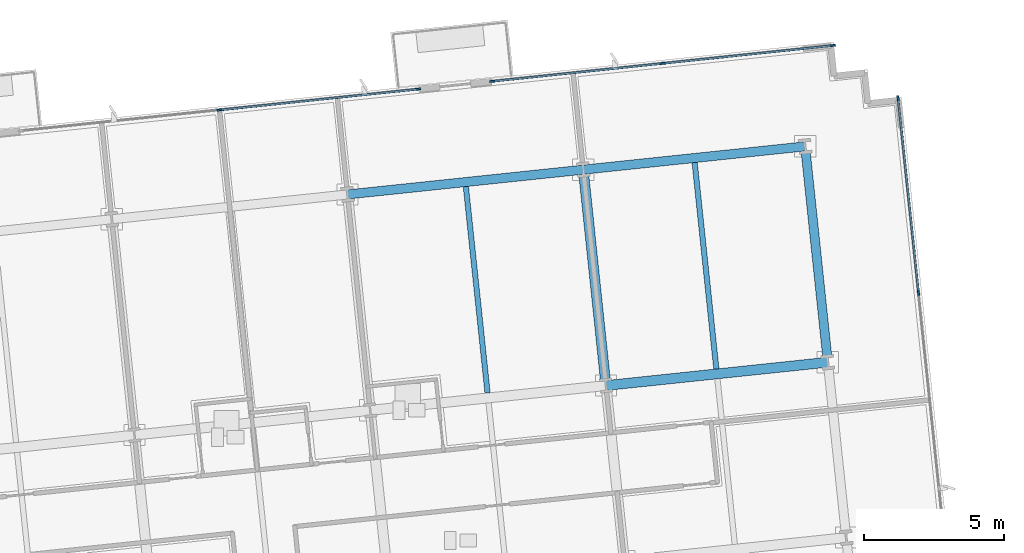
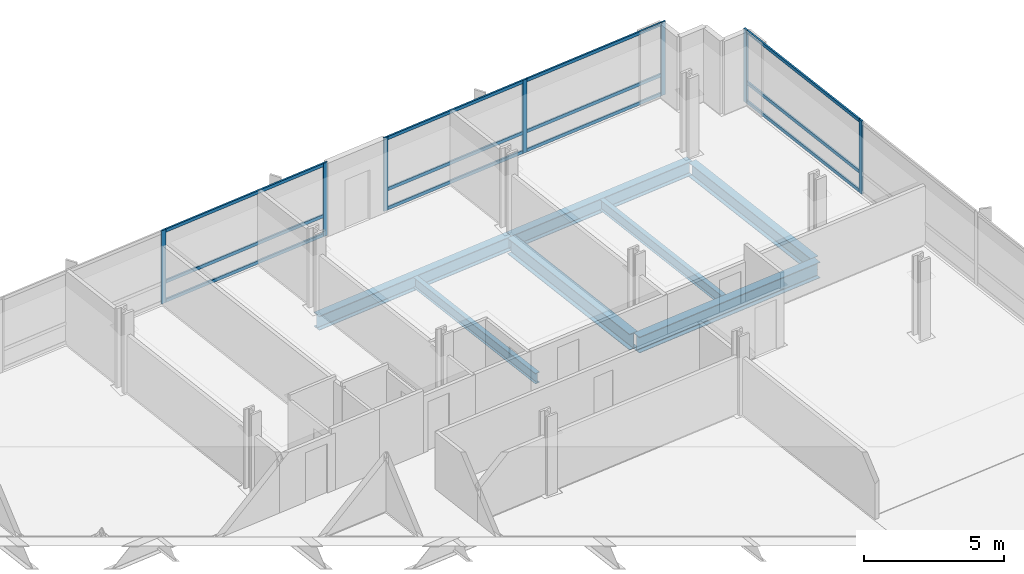
# One storey, part 8 of 17: 19 members, 7 beams, 3 elements without a shape of their own.
"""IFC4 building model written with IfcOpenShell, lengths in metres."""

from ifc_helpers import new_model, si_unit, direction, frame, origin, origin_2d, place, context, subcontext, project, spatial, rectangle, i_section, extrude, material, material_profile, profile_set, type_object, element, aggregate, save


model = new_model("IFC4")

# Units and contexts
model_context = context("Model", 3, precision=1e-05, world=origin(), true_north=direction((0.0, 1.0)))
body_context = subcontext(model_context, "Body", "Model", "MODEL_VIEW")
ifc_project = project(units=[si_unit("LENGTHUNIT", "METRE"), si_unit("AREAUNIT", "SQUARE_METRE"), si_unit("VOLUMEUNIT", "CUBIC_METRE"), si_unit("PLANEANGLEUNIT", "RADIAN"), si_unit("MASSUNIT", "GRAM", prefix="KILO")], contexts=[model_context])

# Site, building, storey
site_placement = place(None, origin())
site = spatial("IfcSite", under=ifc_project, at=site_placement, CompositionType="ELEMENT")
building_placement = place(site_placement, origin())
building = spatial("IfcBuilding", under=site, at=building_placement, Name="Solmavex Isthmus Hotel", CompositionType="ELEMENT")
storey_placement = place(building_placement, frame((0.0, 0.0, 116.699951171875)))
storey = spatial("IfcBuildingStorey", under=building, at=storey_placement, Name="L31", CompositionType="ELEMENT", Elevation=116.699951171875)

# Beams
ifc_material_1 = material(Name="Steel ASTM A992 Grade 50", Category="steel")
ifc_material_profile_1 = material_profile(ifc_material_1, i_section(OverallWidth=0.354736328125, OverallDepth=0.695556640625, WebThickness=0.015380859375, FlangeThickness=0.02490234375, FilletRadius=0.017822265625, at=origin_2d()), Name="W27X146")
ifc_profile_set_1 = profile_set([ifc_material_profile_1], Name="Steel ASTM A992 Grade 50")
beam_type_1 = type_object("IfcBeamType", Name="BM-BG-W27X146", PredefinedType="BEAM", material=ifc_profile_set_1)
beam_1_placement = place(storey_placement, frame((20.5615234375, 11.921875, -0.607666015625), z_axis=(0.994523402738, 0.104514120609, 0.0), x_axis=(-0.104514120609, 0.994523402738, 0.0)))
element("IfcBeam", 1, at=beam_1_placement, inside=storey, type_object=beam_type_1, Name="Floor Girder L31-UG18", PredefinedType="BEAM", context=body_context, shape_type="SweptSolid", body=[
    extrude(i_section(OverallWidth=0.354736328125, OverallDepth=0.695556640625, WebThickness=0.015380859375, FlangeThickness=0.02490234375, FilletRadius=0.017822265625, at=origin_2d()), origin(), (0.0, 0.0, 1.0), 7.968017578125),
])
beam_2_placement = place(storey_placement, frame((20.54296875, 12.098388671875, -0.607666015625), z_axis=(-0.1045578893, 0.994518802128, 0.0), x_axis=(-0.994518802128, -0.1045578893, 0.0)))
element("IfcBeam", 2, at=beam_2_placement, inside=storey, type_object=beam_type_1, Name="Floor Beam L31-VG45", PredefinedType="BEAM", context=body_context, shape_type="SweptSolid", body=[
    extrude(i_section(OverallWidth=0.354736328125, OverallDepth=0.695556640625, WebThickness=0.015380859375, FlangeThickness=0.02490234375, FilletRadius=0.017822265625, at=origin_2d()), origin(), (0.0, 0.0, 1.0), 7.4111328125),
])
ifc_material_profile_2 = material_profile(ifc_material_1, i_section(OverallWidth=0.1904296875, OverallDepth=0.456787109375, WebThickness=0.009033203125, FlangeThickness=0.014404296875, FilletRadius=0.0126953125, at=origin_2d()), Name="W18X50")
ifc_profile_set_2 = profile_set([ifc_material_profile_2], Name="Steel ASTM A992 Grade 50")
beam_type_2 = type_object("IfcBeamType", Name="BM-BJ-W18X50", PredefinedType="JOIST", material=ifc_profile_set_2)
for number, where, z_axis, x_axis, name in (
    (3, (16.3330078125, 11.65576171875, -0.48828125), (-0.10452188296, 0.994522586964, 0.0), (-0.994522586964, -0.10452188296, 0.0), "Secondary Floor Joist L31-J18"),
    (4, (24.505126953125, 12.5146484375, -0.48828125), (-0.10452188296, 0.994522586964, 0.0), (-0.994522586964, -0.10452188296, 0.0), "Secondary Floor Joist L31-J21"),
):
    element("IfcBeam", number, at=place(storey_placement, frame(where, z_axis=z_axis, x_axis=x_axis)), inside=storey, type_object=beam_type_2, Name=name, PredefinedType="JOIST", context=body_context, shape_type="SweptSolid", body=[
        extrude(i_section(OverallWidth=0.1904296875, OverallDepth=0.456787109375, WebThickness=0.009033203125, FlangeThickness=0.014404296875, FilletRadius=0.0126953125, at=origin_2d()), origin(), (0.0, 0.0, 1.0), 7.411376953125),
    ])
ifc_material_profile_3 = material_profile(ifc_material_1, i_section(OverallWidth=0.326416015625, OverallDepth=0.621826171875, WebThickness=0.015380859375, FlangeThickness=0.0244140625, FilletRadius=0.01513671875, at=origin_2d()), Name="W24X131")
ifc_profile_set_3 = profile_set([ifc_material_profile_3], Name="Steel ASTM A992 Grade 50")
beam_type_3 = type_object("IfcBeamType", Name="BM-SP-W24X131", PredefinedType="SPANDREL", material=ifc_profile_set_3)
beam_3_placement = place(storey_placement, frame((11.33154296875, 18.74658203125, -0.57080078125), z_axis=(0.994524082861, 0.104507648572, 0.0), x_axis=(-0.104507648572, 0.994524082861, 0.0)))
element("IfcBeam", 5, at=beam_3_placement, inside=storey, type_object=beam_type_3, Name="Floor Girder L31-UG23", PredefinedType="SPANDREL", context=body_context, shape_type="SweptSolid", body=[
    extrude(i_section(OverallWidth=0.326416015625, OverallDepth=0.621826171875, WebThickness=0.015380859375, FlangeThickness=0.0244140625, FilletRadius=0.01513671875, at=origin_2d()), origin(), (0.0, 0.0, 1.0), 8.466064453125),
])
beam_4_placement = place(storey_placement, frame((19.751220703125, 19.63134765625, -0.57080078125), z_axis=(0.994520217478, 0.10454442609, 0.0), x_axis=(-0.10454442609, 0.994520217478, 0.0)))
element("IfcBeam", 6, at=beam_4_placement, inside=storey, type_object=beam_type_3, Name="Floor Girder L31-UG24", PredefinedType="SPANDREL", context=body_context, shape_type="SweptSolid", body=[
    extrude(i_section(OverallWidth=0.326416015625, OverallDepth=0.621826171875, WebThickness=0.015380859375, FlangeThickness=0.0244140625, FilletRadius=0.01513671875, at=origin_2d()), origin(), (0.0, 0.0, 1.0), 7.968017578125),
])
beam_5_placement = place(storey_placement, frame((28.46728515625, 12.93115234375, -0.57080078125), z_axis=(-0.10452188296, 0.994522586964, 0.0), x_axis=(-0.994522586964, -0.10452188296, 0.0)))
element("IfcBeam", 7, at=beam_5_placement, inside=storey, type_object=beam_type_3, Name="Floor Beam L31-VG48", PredefinedType="SPANDREL", context=body_context, shape_type="SweptSolid", body=[
    extrude(i_section(OverallWidth=0.326416015625, OverallDepth=0.621826171875, WebThickness=0.015380859375, FlangeThickness=0.0244140625, FilletRadius=0.01513671875, at=origin_2d()), origin(), (0.0, 0.0, 1.0), 7.411376953125),
])

# Curtain wall, members
ifc_material_2 = material(Name="Aluminium alloy 6063-T6", Category="aluminium")
curtain_wall_type = type_object("IfcCurtainWallType", Name="CW-SYS-03", PredefinedType="NOTDEFINED", material=ifc_material_2)
curtain_wall_1_placement = place(storey_placement, origin())
curtain_wall_1 = element("IfcCurtainWall", 8, at=curtain_wall_1_placement, inside=storey, type_object=curtain_wall_type, Name="Stick Curtain Wall CWL-L31-N2", PredefinedType="NOTDEFINED")
ifc_material_profile_4 = material_profile(ifc_material_2, rectangle(XDim=0.070068359375, YDim=0.179931640625, at=origin_2d()), Name="CWM-70X180")
ifc_profile_set_4 = profile_set([ifc_material_profile_4], Name="Aluminium alloy 6063-T6")
member_type_1 = type_object("IfcMemberType", Name="CW-SYS-03-MUL", PredefinedType="MULLION", material=ifc_profile_set_4)
member_1_placement = place(storey_placement, frame((6.7578125, 21.764892578125, 0.0), z_axis=(0.0, 0.0, 1.0), x_axis=(-0.10452900389, 0.994521838546, 0.0)))
member_1 = element("IfcMember", 9, at=member_1_placement, type_object=member_type_1, Name="CW-03 mullion 2", PredefinedType="MULLION", context=body_context, shape_type="SweptSolid", body=[
    extrude(rectangle(XDim=0.070068359375, YDim=0.179931640625, at=origin_2d()), origin(), (0.0, 0.0, 1.0), 3.18994140625),
])
member_2_placement = place(storey_placement, frame((13.849853515625, 22.51025390625, 0.0), z_axis=(0.0, 0.0, 1.0), x_axis=(-0.10452900389, 0.994521838546, 0.0)))
member_2 = element("IfcMember", 10, at=member_2_placement, type_object=member_type_1, Name="CW-03 mullion 3", PredefinedType="MULLION", context=body_context, shape_type="SweptSolid", body=[
    extrude(rectangle(XDim=0.070068359375, YDim=0.179931640625, at=origin_2d()), origin(), (0.0, 0.0, 1.0), 3.18994140625),
])

curtain_wall_2_placement = place(storey_placement, origin())
curtain_wall_2 = element("IfcCurtainWall", 11, at=curtain_wall_2_placement, inside=storey, type_object=curtain_wall_type, Name="Stick Curtain Wall CWL-L31-N3", PredefinedType="NOTDEFINED")
member_3_placement = place(storey_placement, frame((16.505126953125, 22.789306640625, 0.0), z_axis=(0.0, 0.0, 1.0), x_axis=(-0.104528123665, 0.994521931062, 0.0)))
member_3 = element("IfcMember", 12, at=member_3_placement, type_object=member_type_1, Name="CW-03 mullion 1", PredefinedType="MULLION", context=body_context, shape_type="SweptSolid", body=[
    extrude(rectangle(XDim=0.070068359375, YDim=0.179931640625, at=origin_2d()), origin(), (0.0, 0.0, 1.0), 3.18994140625),
])
member_4_placement = place(storey_placement, frame((22.587158203125, 23.4287109375, 0.0), z_axis=(0.0, 0.0, 1.0), x_axis=(-0.104528123665, 0.994521931062, 0.0)))
member_4 = element("IfcMember", 13, at=member_4_placement, type_object=member_type_1, Name="CW-03 mullion 2", PredefinedType="MULLION", context=body_context, shape_type="SweptSolid", body=[
    extrude(rectangle(XDim=0.070068359375, YDim=0.179931640625, at=origin_2d()), origin(), (0.0, 0.0, 1.0), 3.18994140625),
])
member_5_placement = place(storey_placement, frame((28.669189453125, 24.06787109375, 0.0), z_axis=(0.0, 0.0, 1.0), x_axis=(-0.104528123665, 0.994521931062, 0.0)))
member_5 = element("IfcMember", 14, at=member_5_placement, type_object=member_type_1, Name="CW-03 mullion 3", PredefinedType="MULLION", context=body_context, shape_type="SweptSolid", body=[
    extrude(rectangle(XDim=0.070068359375, YDim=0.179931640625, at=origin_2d()), origin(), (0.0, 0.0, 1.0), 3.18994140625),
])

curtain_wall_3_placement = place(storey_placement, origin())
curtain_wall_3 = element("IfcCurtainWall", 15, at=curtain_wall_3_placement, inside=storey, type_object=curtain_wall_type, Name="Stick Curtain Wall CWL-L31-E1", PredefinedType="NOTDEFINED")
member_6_placement = place(storey_placement, frame((31.723876953125, 15.23876953125, 0.0), z_axis=(0.0, 0.0, 1.0), x_axis=(-0.994521893044, -0.104528485381, 0.0)))
member_6 = element("IfcMember", 16, at=member_6_placement, type_object=member_type_1, Name="CW-03 mullion 5", PredefinedType="MULLION", context=body_context, shape_type="SweptSolid", body=[
    extrude(rectangle(XDim=0.070068359375, YDim=0.179931640625, at=origin_2d()), origin(), (0.0, 0.0, 1.0), 3.18994140625),
])
member_7_placement = place(storey_placement, frame((30.99365234375, 22.185546875, 0.0), z_axis=(0.0, 0.0, 1.0), x_axis=(-0.994521893044, -0.104528485381, 0.0)))
member_7 = element("IfcMember", 17, at=member_7_placement, type_object=member_type_1, Name="CW-03 mullion 6", PredefinedType="MULLION", context=body_context, shape_type="SweptSolid", body=[
    extrude(rectangle(XDim=0.070068359375, YDim=0.179931640625, at=origin_2d()), origin(), (0.0, 0.0, 1.0), 3.18994140625),
])

# Member
ifc_material_profile_5 = material_profile(ifc_material_2, rectangle(XDim=0.070068359375, YDim=0.139892578125, at=origin_2d()), Name="CWT-70X140")
ifc_profile_set_5 = profile_set([ifc_material_profile_5], Name="Aluminium alloy 6063-T6")
member_type_2 = type_object("IfcMemberType", Name="CW-SYS-03-TRN", PredefinedType="USERDEFINED", material=ifc_profile_set_5)
member_8_placement = place(storey_placement, frame((6.792724609375, 21.7685546875, 0.070068359375), z_axis=(0.994522301958, 0.104524594751, 0.0), x_axis=(-0.104524594751, 0.994522301958, 0.0)))
member_8 = element("IfcMember", 18, at=member_8_placement, type_object=member_type_2, Name="CW-03 transom 2.1", ObjectType="TRANSOM", PredefinedType="USERDEFINED", context=body_context, shape_type="SweptSolid", body=[
    extrude(rectangle(XDim=0.070068359375, YDim=0.139892578125, at=origin_2d()), origin(), (0.0, 0.0, 1.0), 7.060791015625),
])

member_9_placement = place(storey_placement, frame((6.792724609375, 21.7685546875, 0.900146484375), z_axis=(0.994522301958, 0.104524594751, 0.0), x_axis=(-0.104524594751, 0.994522301958, 0.0)))
member_9 = element("IfcMember", 19, at=member_9_placement, type_object=member_type_2, Name="CW-03 transom 2.2", ObjectType="TRANSOM", PredefinedType="USERDEFINED", context=body_context, shape_type="SweptSolid", body=[
    extrude(rectangle(XDim=0.070068359375, YDim=0.139892578125, at=origin_2d()), origin(), (0.0, 0.0, 1.0), 7.060791015625),
])

member_10_placement = place(storey_placement, frame((6.792724609375, 21.7685546875, 3.1201171875), z_axis=(0.994522301958, 0.104524594751, 0.0), x_axis=(-0.104524594751, 0.994522301958, 0.0)))
member_10 = element("IfcMember", 20, at=member_10_placement, type_object=member_type_2, Name="CW-03 transom 2.3", ObjectType="TRANSOM", PredefinedType="USERDEFINED", context=body_context, shape_type="SweptSolid", body=[
    extrude(rectangle(XDim=0.070068359375, YDim=0.139892578125, at=origin_2d()), origin(), (0.0, 0.0, 1.0), 7.060791015625),
])

aggregate(curtain_wall_1, [member_1, member_2, member_8, member_9, member_10])

member_11_placement = place(storey_placement, frame((16.5400390625, 22.79296875, 0.070068359375), z_axis=(0.994519384638, 0.104552348513, 0.0), x_axis=(-0.104552348513, 0.994519384638, 0.0)))
member_11 = element("IfcMember", 21, at=member_11_placement, type_object=member_type_2, Name="CW-03 transom 1.1", ObjectType="TRANSOM", PredefinedType="USERDEFINED", context=body_context, shape_type="SweptSolid", body=[
    extrude(rectangle(XDim=0.070068359375, YDim=0.139892578125, at=origin_2d()), origin(), (0.0, 0.0, 1.0), 6.045654296875),
])

member_12_placement = place(storey_placement, frame((16.5400390625, 22.79296875, 0.900146484375), z_axis=(0.994519384638, 0.104552348513, 0.0), x_axis=(-0.104552348513, 0.994519384638, 0.0)))
member_12 = element("IfcMember", 22, at=member_12_placement, type_object=member_type_2, Name="CW-03 transom 1.2", ObjectType="TRANSOM", PredefinedType="USERDEFINED", context=body_context, shape_type="SweptSolid", body=[
    extrude(rectangle(XDim=0.070068359375, YDim=0.139892578125, at=origin_2d()), origin(), (0.0, 0.0, 1.0), 6.045654296875),
])

member_13_placement = place(storey_placement, frame((16.5400390625, 22.79296875, 3.1201171875), z_axis=(0.994519384638, 0.104552348513, 0.0), x_axis=(-0.104552348513, 0.994519384638, 0.0)))
member_13 = element("IfcMember", 23, at=member_13_placement, type_object=member_type_2, Name="CW-03 transom 1.3", ObjectType="TRANSOM", PredefinedType="USERDEFINED", context=body_context, shape_type="SweptSolid", body=[
    extrude(rectangle(XDim=0.070068359375, YDim=0.139892578125, at=origin_2d()), origin(), (0.0, 0.0, 1.0), 6.045654296875),
])

member_14_placement = place(storey_placement, frame((22.6220703125, 23.432373046875, 0.070068359375), z_axis=(0.994523582882, 0.104512406403, 0.0), x_axis=(-0.104512406403, 0.994523582882, 0.0)))
member_14 = element("IfcMember", 24, at=member_14_placement, type_object=member_type_2, Name="CW-03 transom 2.1", ObjectType="TRANSOM", PredefinedType="USERDEFINED", context=body_context, shape_type="SweptSolid", body=[
    extrude(rectangle(XDim=0.070068359375, YDim=0.139892578125, at=origin_2d()), origin(), (0.0, 0.0, 1.0), 6.045654296875),
])

member_15_placement = place(storey_placement, frame((22.6220703125, 23.432373046875, 0.900146484375), z_axis=(0.994523582882, 0.104512406403, 0.0), x_axis=(-0.104512406403, 0.994523582882, 0.0)))
member_15 = element("IfcMember", 25, at=member_15_placement, type_object=member_type_2, Name="CW-03 transom 2.2", ObjectType="TRANSOM", PredefinedType="USERDEFINED", context=body_context, shape_type="SweptSolid", body=[
    extrude(rectangle(XDim=0.070068359375, YDim=0.139892578125, at=origin_2d()), origin(), (0.0, 0.0, 1.0), 6.045654296875),
])

member_16_placement = place(storey_placement, frame((22.6220703125, 23.432373046875, 3.1201171875), z_axis=(0.994523582882, 0.104512406403, 0.0), x_axis=(-0.104512406403, 0.994523582882, 0.0)))
member_16 = element("IfcMember", 26, at=member_16_placement, type_object=member_type_2, Name="CW-03 transom 2.3", ObjectType="TRANSOM", PredefinedType="USERDEFINED", context=body_context, shape_type="SweptSolid", body=[
    extrude(rectangle(XDim=0.070068359375, YDim=0.139892578125, at=origin_2d()), origin(), (0.0, 0.0, 1.0), 6.045654296875),
])

aggregate(curtain_wall_2, [member_3, member_4, member_5, member_11, member_12, member_13, member_14, member_15, member_16])

member_17_placement = place(storey_placement, frame((31.72021484375, 15.273681640625, 0.070068359375), z_axis=(-0.104539595565, 0.994520725254, 0.0), x_axis=(-0.994520725254, -0.104539595565, 0.0)))
member_17 = element("IfcMember", 27, at=member_17_placement, type_object=member_type_2, Name="CW-03 transom 5.1", ObjectType="TRANSOM", PredefinedType="USERDEFINED", context=body_context, shape_type="SweptSolid", body=[
    extrude(rectangle(XDim=0.070068359375, YDim=0.139892578125, at=origin_2d()), origin(), (0.0, 0.0, 1.0), 6.9150390625),
])

member_18_placement = place(storey_placement, frame((31.72021484375, 15.273681640625, 0.900146484375), z_axis=(-0.104539595565, 0.994520725254, 0.0), x_axis=(-0.994520725254, -0.104539595565, 0.0)))
member_18 = element("IfcMember", 28, at=member_18_placement, type_object=member_type_2, Name="CW-03 transom 5.2", ObjectType="TRANSOM", PredefinedType="USERDEFINED", context=body_context, shape_type="SweptSolid", body=[
    extrude(rectangle(XDim=0.070068359375, YDim=0.139892578125, at=origin_2d()), origin(), (0.0, 0.0, 1.0), 6.9150390625),
])

member_19_placement = place(storey_placement, frame((31.72021484375, 15.273681640625, 3.1201171875), z_axis=(-0.104539595565, 0.994520725254, 0.0), x_axis=(-0.994520725254, -0.104539595565, 0.0)))
member_19 = element("IfcMember", 29, at=member_19_placement, type_object=member_type_2, Name="CW-03 transom 5.3", ObjectType="TRANSOM", PredefinedType="USERDEFINED", context=body_context, shape_type="SweptSolid", body=[
    extrude(rectangle(XDim=0.070068359375, YDim=0.139892578125, at=origin_2d()), origin(), (0.0, 0.0, 1.0), 6.9150390625),
])

aggregate(curtain_wall_3, [member_6, member_7, member_17, member_18, member_19])

save(model, "model.ifc")
